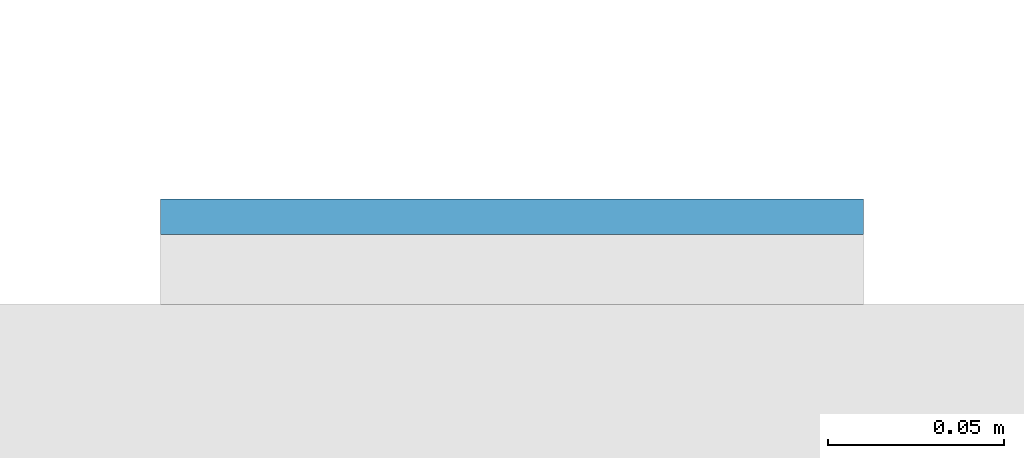
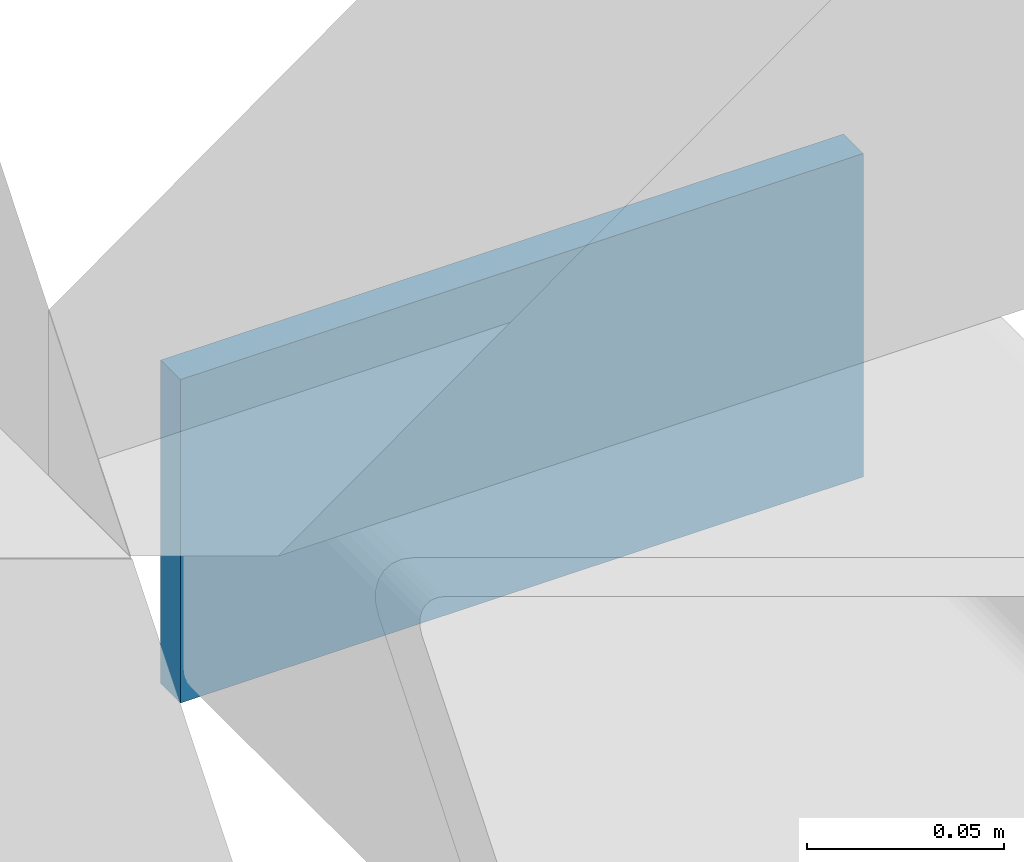
# One storey, part 6 of 12: 1 plate.
"""IFC4 building model written with IfcOpenShell, lengths in metres."""

import ifcopenshell
import ifcopenshell.guid

model = None  # the IFC model being written
_history = None  # IfcOwnerHistory: only IFC2X3 demands one
_inside = {}  # id of a spatial element -> (the spatial element, [elements in it])
_under = {}  # id of a project, library or spatial element -> (it, [spatial elements below it])
_declared = {}  # id of a project -> (the project, [libraries it declares])
_typed = {}  # id of a type object -> (the type object, [elements of that type])
_made_of = {}  # id of a material, layer set ... -> (it, [elements and type objects made of it])


def new_model(schema):
    """Start an empty IFC model of exactly this schema.

    Asked for "IFC4X3", IfcOpenShell would pick the latest addendum, in which some entities
    have other attributes; the version numbers below select the first issue.
    IFC2X3 requires an IfcOwnerHistory on every rooted entity: one is made here for all.
    """
    global model, _history
    if schema == "IFC4X3":
        model = ifcopenshell.file(schema_version=(4, 3, 0, 0))
    else:
        model = ifcopenshell.file(schema=schema)
    _inside.clear()
    _under.clear()
    _declared.clear()
    _typed.clear()
    _made_of.clear()
    _history = None
    if model.schema == "IFC2X3":
        org = make("IfcOrganization", Name="unknown")
        user = make(
            "IfcPersonAndOrganization",
            ThePerson=make("IfcPerson", FamilyName="unknown"),
            TheOrganization=org,
        )
        app = make(
            "IfcApplication",
            ApplicationDeveloper=org,
            Version="unknown",
            ApplicationFullName="unknown",
            ApplicationIdentifier="unknown",
        )
        _history = make(
            "IfcOwnerHistory",
            OwningUser=user,
            OwningApplication=app,
            ChangeAction="ADDED",
            CreationDate=0,
        )
    return model


def make(cls, **values):
    """One entity of the class cls with the attributes given. An attribute that is None is left unset."""
    return model.create_entity(
        cls, **{name: value for name, value in values.items() if value is not None}
    )


def rooted(cls, **values):
    """An entity with a GlobalId (a new one), such as an element, a storey or a relation."""
    return make(cls, GlobalId=ifcopenshell.guid.new(), OwnerHistory=_history, **values)


def si_unit(unit_type, name, prefix=None):
    """IfcSIUnit, for example si_unit("LENGTHUNIT", "METRE", prefix="MILLI")."""
    return make("IfcSIUnit", UnitType=unit_type, Prefix=prefix, Name=name)


def assignment(units):
    """IfcUnitAssignment: the units of a project."""
    return None if units is None else make("IfcUnitAssignment", Units=units)


def point(xyz):
    """IfcCartesianPoint."""
    return None if xyz is None else make("IfcCartesianPoint", Coordinates=xyz)


def direction(xyz):
    """IfcDirection."""
    return None if xyz is None else make("IfcDirection", DirectionRatios=xyz)


def frame(location, z_axis=None, x_axis=None):
    """IfcAxis2Placement3D, a coordinate frame: its origin and axes. An axis left out is left unset."""
    return make(
        "IfcAxis2Placement3D",
        Location=point(location),
        Axis=direction(z_axis),
        RefDirection=direction(x_axis),
    )


def frame_2d(location, x_axis=None):
    """IfcAxis2Placement2D, a coordinate frame in the plane: its origin and x axis."""
    return make(
        "IfcAxis2Placement2D", Location=point(location), RefDirection=direction(x_axis)
    )


def origin():
    """The frame at (0, 0, 0) with its axes left unset."""
    return frame((0.0, 0.0, 0.0))


def origin_2d():
    """The frame at (0, 0) in the plane with its x axis left unset."""
    return frame_2d((0.0, 0.0))


def place(relative_to, where):
    """IfcLocalPlacement: puts the frame where relative to a parent placement (None: the world)."""
    return make(
        "IfcLocalPlacement", PlacementRelTo=relative_to, RelativePlacement=where
    )


def context(
    kind, dimensions, precision=None, world=None, true_north=None, identifier=None
):
    """IfcGeometricRepresentationContext, for example the 3D "Model" context."""
    return make(
        "IfcGeometricRepresentationContext",
        ContextIdentifier=identifier,
        ContextType=kind,
        CoordinateSpaceDimension=dimensions,
        Precision=precision,
        WorldCoordinateSystem=world,
        TrueNorth=true_north,
    )


def subcontext(parent, identifier, kind, view, scale=None):
    """IfcGeometricRepresentationSubContext, for example "Body" below "Model"."""
    return make(
        "IfcGeometricRepresentationSubContext",
        ContextIdentifier=identifier,
        ContextType=kind,
        ParentContext=parent,
        TargetScale=scale,
        TargetView=view,
    )


def project(units=None, contexts=None):
    """IfcProject with its units and contexts."""
    return rooted(
        "IfcProject",
        Name="project",
        RepresentationContexts=contexts,
        UnitsInContext=assignment(units),
    )


def spatial(cls, under=None, at=None, **own):
    """A site, building, storey or space (cls), placed at a placement, below another one or the project."""
    s = rooted(cls, ObjectPlacement=at, **own)
    if under is not None:
        _under.setdefault(under.id(), (under, []))[1].append(s)
    return s


def profile(cls, at=None, kind="AREA", **sizes):
    """A parametric profile (cls). Its sizes go by their IFC names, for example OverallWidth=200.0."""
    return make(cls, ProfileType=kind, Position=at, **sizes)


def rectangle(**sizes):
    """IfcRectangleProfileDef."""
    return profile("IfcRectangleProfileDef", **sizes)


def extrude(swept, where, along, depth):
    """IfcExtrudedAreaSolid: the profile swept, set in the frame where, extruded along a direction by depth."""
    return make(
        "IfcExtrudedAreaSolid",
        SweptArea=swept,
        Position=where,
        ExtrudedDirection=direction(along),
        Depth=depth,
    )


def shape(context_of_items, identifier, shape_type, items):
    """IfcShapeRepresentation: the items that make up one representation, for example the "Body"."""
    return make(
        "IfcShapeRepresentation",
        ContextOfItems=context_of_items,
        RepresentationIdentifier=identifier,
        RepresentationType=shape_type,
        Items=items,
    )


def material(Name=None, Category=None):
    """IfcMaterial."""
    return make("IfcMaterial", Name=Name, Category=Category)


def layer(
    of_material, thickness, ventilated=None, Name=None, Category=None, Priority=None
):
    """IfcMaterialLayer: one layer of a wall or slab, of a material (None: an air gap)."""
    return make(
        "IfcMaterialLayer",
        Material=of_material,
        LayerThickness=thickness,
        IsVentilated=ventilated,
        Name=Name,
        Category=Category,
        Priority=Priority,
    )


def layer_set(layers, Name=None):
    """IfcMaterialLayerSet."""
    return make("IfcMaterialLayerSet", MaterialLayers=layers, LayerSetName=Name)


def made_of(thing, what):
    """Note that an element or type object is made of a material, layer set ...; save() writes the relation."""
    if what is not None:
        _made_of.setdefault(what.id(), (what, []))[1].append(thing)
    return thing


def type_object(cls, material=None, **own):
    """A type object (cls), such as IfcWallType, which elements share."""
    return made_of(rooted(cls, **own), material)


def element(
    cls,
    number,
    at=None,
    inside=None,
    cuts=None,
    type_object=None,
    material=None,
    context=None,
    identifier="Body",
    shape_type=None,
    held_by="IfcProductDefinitionShape",
    body=None,
    shapes=None,
    **own,
):
    """One element of the class cls, such as IfcWall. Its Tag is "e" and its number.

    at: its placement. inside: the storey or other place that contains it. cuts: it is an
    opening in that element (IfcRelVoidsElement). A single representation is given by context,
    identifier, shape_type and body (its items); several are given by shapes. held_by: the class
    of the entity that holds the representations. save() writes the other relations.
    """
    e = rooted(cls, Tag="e%d" % number, ObjectPlacement=at, **own)
    if body is not None:
        shapes = [shape(context, identifier, shape_type, body)]
    if shapes is not None:
        e.Representation = make(held_by, Representations=shapes)
    if inside is not None:
        _inside.setdefault(inside.id(), (inside, []))[1].append(e)
    if cuts is not None:
        rooted(
            "IfcRelVoidsElement", RelatingBuildingElement=cuts, RelatedOpeningElement=e
        )
    if type_object is not None:
        _typed.setdefault(type_object.id(), (type_object, []))[1].append(e)
    return made_of(e, material)


def aggregate(whole, parts):
    """IfcRelAggregates: a whole, such as a stair, and the parts it consists of."""
    return rooted("IfcRelAggregates", RelatingObject=whole, RelatedObjects=parts)


def save(model, path):
    """Write the relations noted so far, then the file.

    IfcRelAggregates (storeys below a building ...), IfcRelContainedInSpatialStructure (elements
    in a storey), IfcRelDefinesByType, IfcRelAssociatesMaterial and IfcRelDeclares: one each for
    every whole, place, type object, material and project.
    """
    for whole, parts in _under.values():
        aggregate(whole, parts)
    for where, things in _inside.values():
        rooted(
            "IfcRelContainedInSpatialStructure",
            RelatedElements=things,
            RelatingStructure=where,
        )
    for kind, things in _typed.values():
        rooted("IfcRelDefinesByType", RelatedObjects=things, RelatingType=kind)
    for what, things in _made_of.values():
        rooted("IfcRelAssociatesMaterial", RelatedObjects=things, RelatingMaterial=what)
    for by, libraries in _declared.values():
        rooted("IfcRelDeclares", RelatingContext=by, RelatedDefinitions=libraries)
    model.write(path)


model = new_model("IFC4")

# Units and contexts
model_context = context("Model", 3, precision=1e-05, world=origin(), true_north=direction((0.0, 1.0)))
body_context = subcontext(model_context, "Body", "Model", "MODEL_VIEW")
ifc_project = project(units=[si_unit("LENGTHUNIT", "METRE"), si_unit("AREAUNIT", "SQUARE_METRE"), si_unit("VOLUMEUNIT", "CUBIC_METRE"), si_unit("PLANEANGLEUNIT", "RADIAN"), si_unit("MASSUNIT", "GRAM", prefix="KILO")], contexts=[model_context])

# Site, building, storey
site_placement = place(None, origin())
site = spatial("IfcSite", under=ifc_project, at=site_placement, CompositionType="ELEMENT")
building_placement = place(site_placement, origin())
building = spatial("IfcBuilding", under=site, at=building_placement, Name="Cleftline Residences", CompositionType="ELEMENT")
storey_placement = place(building_placement, frame((0.0, 0.0, 262.800048828125)))
storey = spatial("IfcBuildingStorey", under=building, at=storey_placement, Name="L69", CompositionType="ELEMENT", Elevation=262.800048828125)

# Plate
ifc_material = material(Name="Steel S355, hot-dip galvanised", Category="steel")
ifc_layer = layer(ifc_material, 0.010009765625)
ifc_layer_set = layer_set([ifc_layer], Name="BAGUETTE CARRIER END PLATE 200X100X10")
plate_type = type_object("IfcPlateType", Name="BAGUETTE CARRIER END PLATE 200X100X10", PredefinedType="USERDEFINED", material=ifc_layer_set)
plate_placement = place(storey_placement, frame((66.85009765625, 44.304931640625, -0.10009765625), z_axis=(0.0, 0.0, 1.0), x_axis=(1.0, 0.0, 0.0)))
element("IfcPlate", 1, at=plate_placement, inside=storey, type_object=plate_type, Name="Baguette carrier end plate", ObjectType="BAGUETTE CARRIER END PLATE", PredefinedType="USERDEFINED", context=body_context, shape_type="SweptSolid", body=[
    extrude(rectangle(XDim=0.199951171875, YDim=0.010009765625, at=origin_2d()), origin(), (0.0, 0.0, 1.0), 0.10009765625),
])

save(model, "model.ifc")
